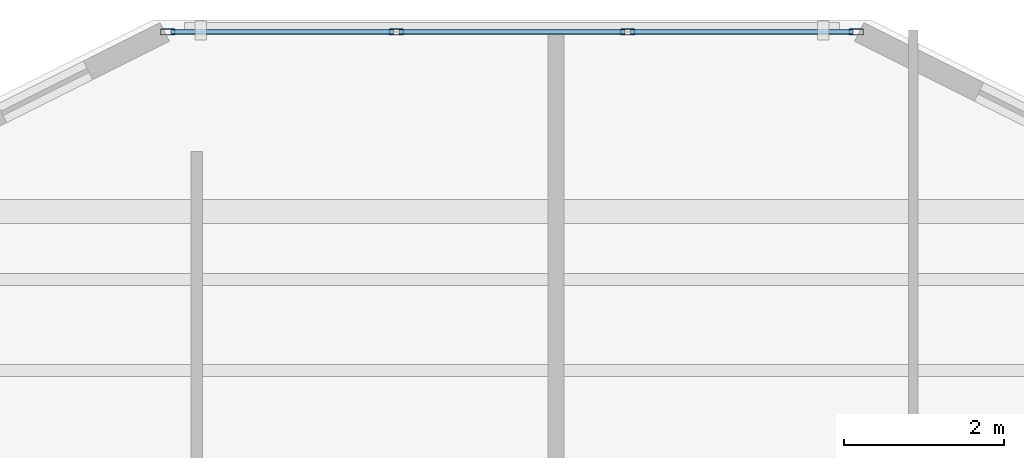
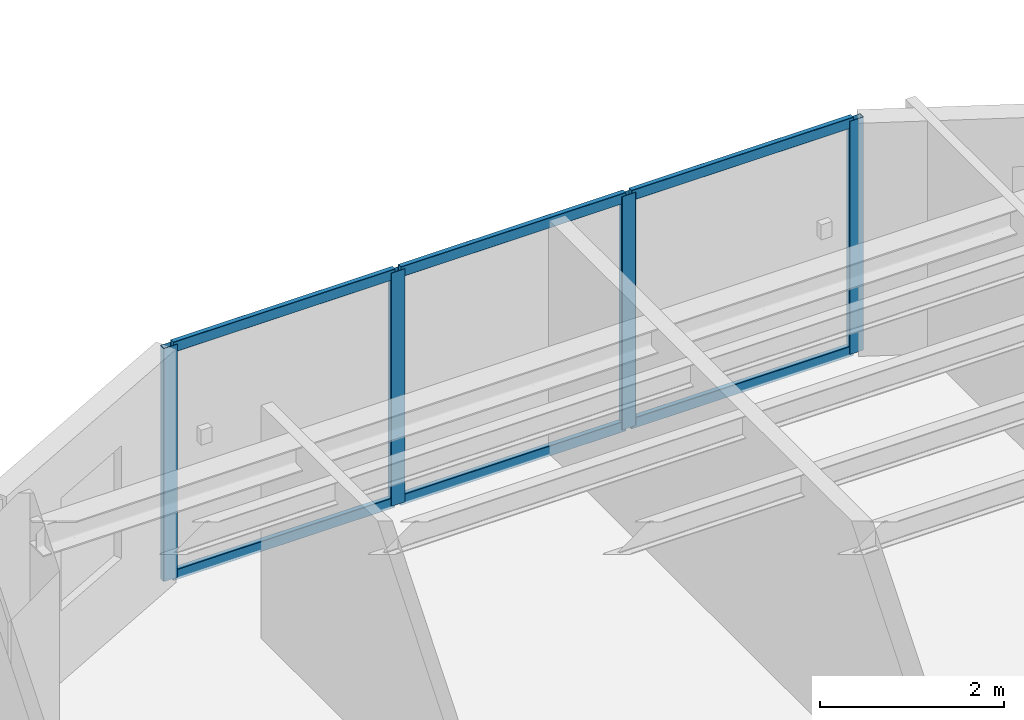
# One storey, part 4 of 14: 10 members, 1 element without a shape of its own.
"""IFC4 building model written with IfcOpenShell, lengths in metres."""

from ifc_helpers import new_model, si_unit, direction, frame, origin, origin_2d, place, context, subcontext, project, spatial, hollow_rectangle, extrude, material, layer, layer_set, material_profile, profile_set, type_object, element, aggregate, save


model = new_model("IFC4")

# Units and contexts
model_context = context("Model", 3, precision=1e-05, world=origin(), true_north=direction((0.0, 1.0)))
body_context = subcontext(model_context, "Body", "Model", "MODEL_VIEW")
ifc_project = project(units=[si_unit("LENGTHUNIT", "METRE"), si_unit("AREAUNIT", "SQUARE_METRE"), si_unit("VOLUMEUNIT", "CUBIC_METRE"), si_unit("PLANEANGLEUNIT", "RADIAN"), si_unit("MASSUNIT", "GRAM", prefix="KILO")], contexts=[model_context])

# Site, building, storey
site_placement = place(None, origin())
site = spatial("IfcSite", under=ifc_project, at=site_placement, CompositionType="ELEMENT")
building_placement = place(site_placement, origin())
building = spatial("IfcBuilding", under=site, at=building_placement, Name="Tarnavaz Court Tower", CompositionType="ELEMENT")
storey_placement = place(building_placement, frame((0.0, 0.0, 258.25)))
storey = spatial("IfcBuildingStorey", under=building, at=storey_placement, Name="L70", CompositionType="ELEMENT", Elevation=258.25)

# Curtain wall, members
ifc_material_1 = material(Name="Anodised Aluminium 6063-T6 and Solar Low-E Glazing", Category="aluminium")
ifc_layer = layer(ifc_material_1, 0.159912109375)
ifc_layer_set = layer_set([ifc_layer], Name="Anodised Aluminium 6063-T6 and Solar Low-E Glazing")
curtain_wall_type = type_object("IfcCurtainWallType", Name="CW-SYS-03", PredefinedType="NOTDEFINED", material=ifc_layer_set)
curtain_wall_placement = place(storey_placement, origin())
curtain_wall = element("IfcCurtainWall", 1, at=curtain_wall_placement, inside=storey, type_object=curtain_wall_type, Name="L70 Iwan Prow Curtain Wall 7", PredefinedType="NOTDEFINED")
ifc_material_2 = material(Name="Anodised Aluminium 6063-T6", Category="aluminium")
ifc_material_profile_1 = material_profile(ifc_material_2, hollow_rectangle(XDim=0.074951171875, YDim=0.179931640625, WallThickness=0.0048828125, InnerFilletRadius=0.0048828125, OuterFilletRadius=0.010009765625, at=origin_2d()), Name="ALU RHS 180X75X5")
ifc_profile_set_1 = profile_set([ifc_material_profile_1], Name="Anodised Aluminium 6063-T6")
member_type_1 = type_object("IfcMemberType", Name="CW-MUL-180", PredefinedType="MULLION", material=ifc_profile_set_1)
member_1_placement = place(storey_placement, frame((-4.3125, 22.35009765625, 0.0), z_axis=(0.0, 0.0, 1.0), x_axis=(0.0, 1.0, 0.0)))
member_1 = element("IfcMember", 2, at=member_1_placement, type_object=member_type_1, Name="CW mullion 1", PredefinedType="MULLION", context=body_context, shape_type="SweptSolid", body=[
    extrude(hollow_rectangle(XDim=0.074951171875, YDim=0.179931640625, WallThickness=0.0048828125, InnerFilletRadius=0.0048828125, OuterFilletRadius=0.010009765625, at=origin_2d()), origin(), (0.0, 0.0, 1.0), 3.10009765625),
])
member_2_placement = place(storey_placement, frame((-1.449951171875, 22.35009765625, 0.0), z_axis=(0.0, 0.0, 1.0), x_axis=(0.0, 1.0, 0.0)))
member_2 = element("IfcMember", 3, at=member_2_placement, type_object=member_type_1, Name="CW mullion 2", PredefinedType="MULLION", context=body_context, shape_type="SweptSolid", body=[
    extrude(hollow_rectangle(XDim=0.074951171875, YDim=0.179931640625, WallThickness=0.0048828125, InnerFilletRadius=0.0048828125, OuterFilletRadius=0.010009765625, at=origin_2d()), origin(), (0.0, 0.0, 1.0), 3.10009765625),
])
member_3_placement = place(storey_placement, frame((1.449951171875, 22.35009765625, 0.0), z_axis=(0.0, 0.0, 1.0), x_axis=(0.0, 1.0, 0.0)))
member_3 = element("IfcMember", 4, at=member_3_placement, type_object=member_type_1, Name="CW mullion 3", PredefinedType="MULLION", context=body_context, shape_type="SweptSolid", body=[
    extrude(hollow_rectangle(XDim=0.074951171875, YDim=0.179931640625, WallThickness=0.0048828125, InnerFilletRadius=0.0048828125, OuterFilletRadius=0.010009765625, at=origin_2d()), origin(), (0.0, 0.0, 1.0), 3.10009765625),
])
member_4_placement = place(storey_placement, frame((4.3125, 22.35009765625, 0.0), z_axis=(0.0, 0.0, 1.0), x_axis=(0.0, 1.0, 0.0)))
member_4 = element("IfcMember", 5, at=member_4_placement, type_object=member_type_1, Name="CW mullion 4", PredefinedType="MULLION", context=body_context, shape_type="SweptSolid", body=[
    extrude(hollow_rectangle(XDim=0.074951171875, YDim=0.179931640625, WallThickness=0.0048828125, InnerFilletRadius=0.0048828125, OuterFilletRadius=0.010009765625, at=origin_2d()), origin(), (0.0, 0.0, 1.0), 3.10009765625),
])
ifc_material_profile_2 = material_profile(ifc_material_2, hollow_rectangle(XDim=0.06494140625, YDim=0.139892578125, WallThickness=0.00390625, InnerFilletRadius=0.00390625, OuterFilletRadius=0.008056640625, at=origin_2d()), Name="ALU RHS 140X65X4")
ifc_profile_set_2 = profile_set([ifc_material_profile_2], Name="Anodised Aluminium 6063-T6")
member_type_2 = type_object("IfcMemberType", Name="CW-TRN-140", PredefinedType="USERDEFINED", material=ifc_profile_set_2)
member_5_placement = place(storey_placement, frame((-4.27490234375, 22.35009765625, 0.032470703125), z_axis=(1.0, 0.0, 0.0), x_axis=(0.0, 1.0, 0.0)))
member_5 = element("IfcMember", 6, at=member_5_placement, type_object=member_type_2, Name="CW transom 1.1", ObjectType="TRANSOM", PredefinedType="USERDEFINED", context=body_context, shape_type="SweptSolid", body=[
    extrude(hollow_rectangle(XDim=0.06494140625, YDim=0.139892578125, WallThickness=0.00390625, InnerFilletRadius=0.00390625, OuterFilletRadius=0.008056640625, at=origin_2d()), origin(), (0.0, 0.0, 1.0), 2.787353515625),
])
member_6_placement = place(storey_placement, frame((-4.27490234375, 22.35009765625, 3.0673828125), z_axis=(1.0, 0.0, 0.0), x_axis=(0.0, 1.0, 0.0)))
member_6 = element("IfcMember", 7, at=member_6_placement, type_object=member_type_2, Name="CW transom 1.2", ObjectType="TRANSOM", PredefinedType="USERDEFINED", context=body_context, shape_type="SweptSolid", body=[
    extrude(hollow_rectangle(XDim=0.06494140625, YDim=0.139892578125, WallThickness=0.00390625, InnerFilletRadius=0.00390625, OuterFilletRadius=0.008056640625, at=origin_2d()), origin(), (0.0, 0.0, 1.0), 2.787353515625),
])
member_7_placement = place(storey_placement, frame((-1.41259765625, 22.35009765625, 0.032470703125), z_axis=(1.0, 0.0, 0.0), x_axis=(0.0, 1.0, 0.0)))
member_7 = element("IfcMember", 8, at=member_7_placement, type_object=member_type_2, Name="CW transom 2.1", ObjectType="TRANSOM", PredefinedType="USERDEFINED", context=body_context, shape_type="SweptSolid", body=[
    extrude(hollow_rectangle(XDim=0.06494140625, YDim=0.139892578125, WallThickness=0.00390625, InnerFilletRadius=0.00390625, OuterFilletRadius=0.008056640625, at=origin_2d()), origin(), (0.0, 0.0, 1.0), 2.8251953125),
])
member_8_placement = place(storey_placement, frame((-1.41259765625, 22.35009765625, 3.0673828125), z_axis=(1.0, 0.0, 0.0), x_axis=(0.0, 1.0, 0.0)))
member_8 = element("IfcMember", 9, at=member_8_placement, type_object=member_type_2, Name="CW transom 2.2", ObjectType="TRANSOM", PredefinedType="USERDEFINED", context=body_context, shape_type="SweptSolid", body=[
    extrude(hollow_rectangle(XDim=0.06494140625, YDim=0.139892578125, WallThickness=0.00390625, InnerFilletRadius=0.00390625, OuterFilletRadius=0.008056640625, at=origin_2d()), origin(), (0.0, 0.0, 1.0), 2.8251953125),
])
member_9_placement = place(storey_placement, frame((1.487548828125, 22.35009765625, 0.032470703125), z_axis=(1.0, 0.0, 0.0), x_axis=(0.0, 1.0, 0.0)))
member_9 = element("IfcMember", 10, at=member_9_placement, type_object=member_type_2, Name="CW transom 3.1", ObjectType="TRANSOM", PredefinedType="USERDEFINED", context=body_context, shape_type="SweptSolid", body=[
    extrude(hollow_rectangle(XDim=0.06494140625, YDim=0.139892578125, WallThickness=0.00390625, InnerFilletRadius=0.00390625, OuterFilletRadius=0.008056640625, at=origin_2d()), origin(), (0.0, 0.0, 1.0), 2.787353515625),
])
member_10_placement = place(storey_placement, frame((1.487548828125, 22.35009765625, 3.0673828125), z_axis=(1.0, 0.0, 0.0), x_axis=(0.0, 1.0, 0.0)))
member_10 = element("IfcMember", 11, at=member_10_placement, type_object=member_type_2, Name="CW transom 3.2", ObjectType="TRANSOM", PredefinedType="USERDEFINED", context=body_context, shape_type="SweptSolid", body=[
    extrude(hollow_rectangle(XDim=0.06494140625, YDim=0.139892578125, WallThickness=0.00390625, InnerFilletRadius=0.00390625, OuterFilletRadius=0.008056640625, at=origin_2d()), origin(), (0.0, 0.0, 1.0), 2.787353515625),
])
aggregate(curtain_wall, [member_1, member_2, member_3, member_4, member_5, member_6, member_7, member_8, member_9, member_10])

save(model, "model.ifc")
